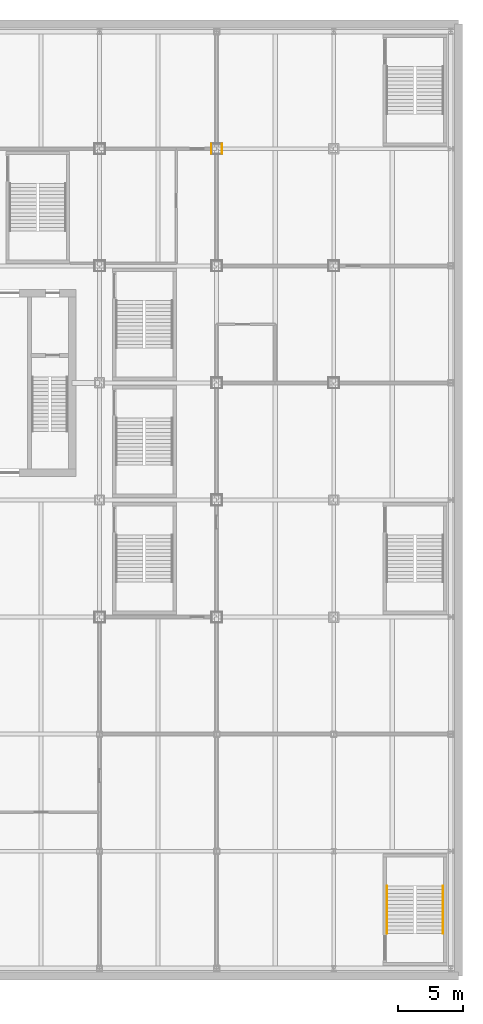
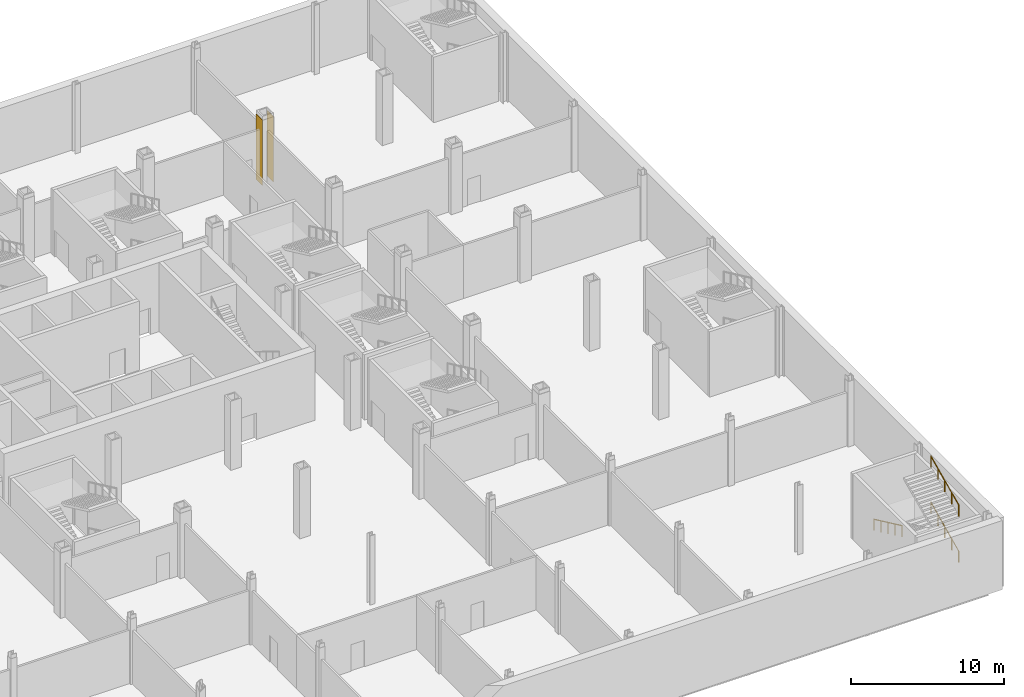
# One storey, part 21 of 27: 3 railings, 2 coverings.
"""IFC4 building model written with IfcOpenShell, lengths in metres."""

from ifc_helpers import new_model, si_unit, direction, frame, origin, origin_2d, place, context, subcontext, project, spatial, rectangle, circle, extrude, material, layer, layer_set, type_object, element, save


model = new_model("IFC4")

# Units and contexts
model_context = context("Model", 3, precision=1e-05, world=origin(), true_north=direction((0.0, 1.0)))
body_context = subcontext(model_context, "Body", "Model", "MODEL_VIEW")
ifc_project = project(units=[si_unit("LENGTHUNIT", "METRE"), si_unit("AREAUNIT", "SQUARE_METRE"), si_unit("VOLUMEUNIT", "CUBIC_METRE"), si_unit("PLANEANGLEUNIT", "RADIAN"), si_unit("MASSUNIT", "GRAM", prefix="KILO")], contexts=[model_context])

# Site, building, storey
site_placement = place(None, origin())
site = spatial("IfcSite", under=ifc_project, at=site_placement, CompositionType="ELEMENT")
building_placement = place(site_placement, origin())
building = spatial("IfcBuilding", under=site, at=building_placement, Name="Loomwork Tower", CompositionType="ELEMENT")
storey_placement = place(building_placement, frame((0.0, 0.0, -5.5)))
storey = spatial("IfcBuildingStorey", under=building, at=storey_placement, Name="B1", CompositionType="ELEMENT", Elevation=-5.5)

# Coverings
ifc_material_1 = material(Name="Two-hour fire-rated gypsum board casing")
ifc_layer = layer(ifc_material_1, 0.02490234375)
ifc_layer_set = layer_set([ifc_layer], Name="Column fire casing 25")
covering_type = type_object("IfcCoveringType", Name="Column fire casing 25", PredefinedType="CLADDING", material=ifc_layer_set)
for number, where, z_axis, x_axis, name in (
    (1, (45.41259765625, 36.0, 0.0), (0.0, 0.0, 1.0), (1.0, 0.0, 0.0), "Column casing 45 36 B1"),
    (2, (44.58740234375, 36.0, 0.0), (0.0, 0.0, 1.0), (1.0, 0.0, 0.0), "Column casing 45 36 B1"),
):
    element("IfcCovering", number, at=place(storey_placement, frame(where, z_axis=z_axis, x_axis=x_axis)), inside=storey, type_object=covering_type, Name=name, PredefinedType="CLADDING", context=body_context, shape_type="SweptSolid", body=[
        extrude(rectangle(XDim=0.02490234375, YDim=0.800048828125, at=origin_2d()), origin(), (0.0, 0.0, 1.0), 5.199951171875),
    ])

# Railings
ifc_material_2 = material(Name="Stainless steel handrail", Category="steel")
railing_type = type_object("IfcRailingType", Name="Handrail 900", PredefinedType="HANDRAIL", material=ifc_material_2)
railing_1_placement = place(storey_placement, frame((62.389892578125, -24.320068359375, 0.131103515625)))
element("IfcRailing", 3, at=railing_1_placement, inside=storey, type_object=railing_type, Name="Podium stair PS2 handrail flight 1 B1", PredefinedType="HANDRAIL", context=body_context, shape_type="SweptSolid", body=[
    extrude(circle(Radius=0.02392578125, at=origin_2d()), frame((0.0, 0.0, 0.8759765625), z_axis=(0.0, 0.905856922506, 0.423583800383), x_axis=(-1.0, 0.0, 0.0)), (0.0, 0.0, 1.0), 4.0185546875),
    extrude(circle(Radius=0.02099609375, at=origin_2d()), origin(), (0.0, 0.0, 1.0), 0.851806640625),
    extrude(circle(Radius=0.02099609375, at=origin_2d()), frame((0.0, 0.91015625, 0.425537109375)), (0.0, 0.0, 1.0), 0.851806640625),
    extrude(circle(Radius=0.02099609375, at=origin_2d()), frame((0.0, 1.820068359375, 0.85107421875)), (0.0, 0.0, 1.0), 0.851806640625),
    extrude(circle(Radius=0.02099609375, at=origin_2d()), frame((0.0, 2.72998046875, 1.276611328125)), (0.0, 0.0, 1.0), 0.851806640625),
    extrude(circle(Radius=0.02099609375, at=origin_2d()), frame((0.0, 3.64013671875, 1.7021484375)), (0.0, 0.0, 1.0), 0.851806640625),
])
railing_2_placement = place(storey_placement, frame((58.110107421875, -20.679931640625, 1.96435546875)))
element("IfcRailing", 4, at=railing_2_placement, inside=storey, type_object=railing_type, Name="Podium stair PS2 handrail flight 2 B1", PredefinedType="HANDRAIL", context=body_context, shape_type="SweptSolid", body=[
    extrude(circle(Radius=0.02392578125, at=origin_2d()), frame((0.0, 0.0, 0.8759765625), z_axis=(0.0, -0.905856922506, 0.423583800383), x_axis=(1.0, 0.0, 0.0)), (0.0, 0.0, 1.0), 4.0185546875),
    extrude(circle(Radius=0.02099609375, at=origin_2d()), origin(), (0.0, 0.0, 1.0), 0.851806640625),
    extrude(circle(Radius=0.02099609375, at=origin_2d()), frame((0.0, -0.91015625, 0.425537109375)), (0.0, 0.0, 1.0), 0.851806640625),
    extrude(circle(Radius=0.02099609375, at=origin_2d()), frame((0.0, -1.820068359375, 0.85107421875)), (0.0, 0.0, 1.0), 0.851806640625),
    extrude(circle(Radius=0.02099609375, at=origin_2d()), frame((0.0, -2.72998046875, 1.276611328125)), (0.0, 0.0, 1.0), 0.851806640625),
    extrude(circle(Radius=0.02099609375, at=origin_2d()), frame((0.0, -3.64013671875, 1.7021484375)), (0.0, 0.0, 1.0), 0.851806640625),
])
railing_3_placement = place(storey_placement, frame((62.389892578125, -24.320068359375, 3.797607421875)))
element("IfcRailing", 5, at=railing_3_placement, inside=storey, type_object=railing_type, Name="Podium stair PS2 handrail flight 3 B1", PredefinedType="HANDRAIL", context=body_context, shape_type="SweptSolid", body=[
    extrude(circle(Radius=0.02392578125, at=origin_2d()), frame((0.0, 0.0, 0.8759765625), z_axis=(0.0, 0.905833609661, 0.423633652593), x_axis=(-1.0, 0.0, 0.0)), (0.0, 0.0, 1.0), 4.0185546875),
    extrude(circle(Radius=0.02099609375, at=origin_2d()), origin(), (0.0, 0.0, 1.0), 0.851806640625),
    extrude(circle(Radius=0.02099609375, at=origin_2d()), frame((0.0, 0.91015625, 0.425537109375)), (0.0, 0.0, 1.0), 0.851806640625),
    extrude(circle(Radius=0.02099609375, at=origin_2d()), frame((0.0, 1.820068359375, 0.85107421875)), (0.0, 0.0, 1.0), 0.851806640625),
    extrude(circle(Radius=0.02099609375, at=origin_2d()), frame((0.0, 2.72998046875, 1.27685546875)), (0.0, 0.0, 1.0), 0.851806640625),
    extrude(circle(Radius=0.02099609375, at=origin_2d()), frame((0.0, 3.64013671875, 1.702392578125)), (0.0, 0.0, 1.0), 0.851806640625),
])

save(model, "model.ifc")
